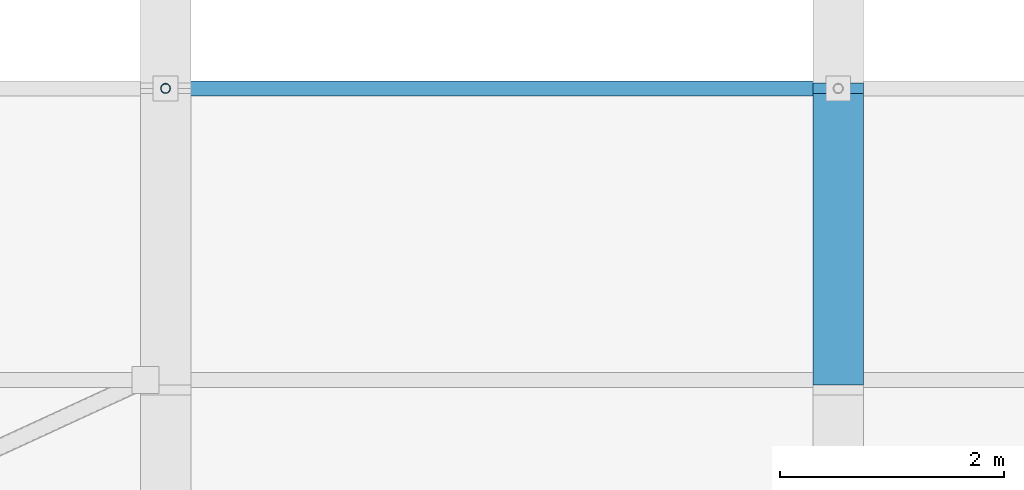
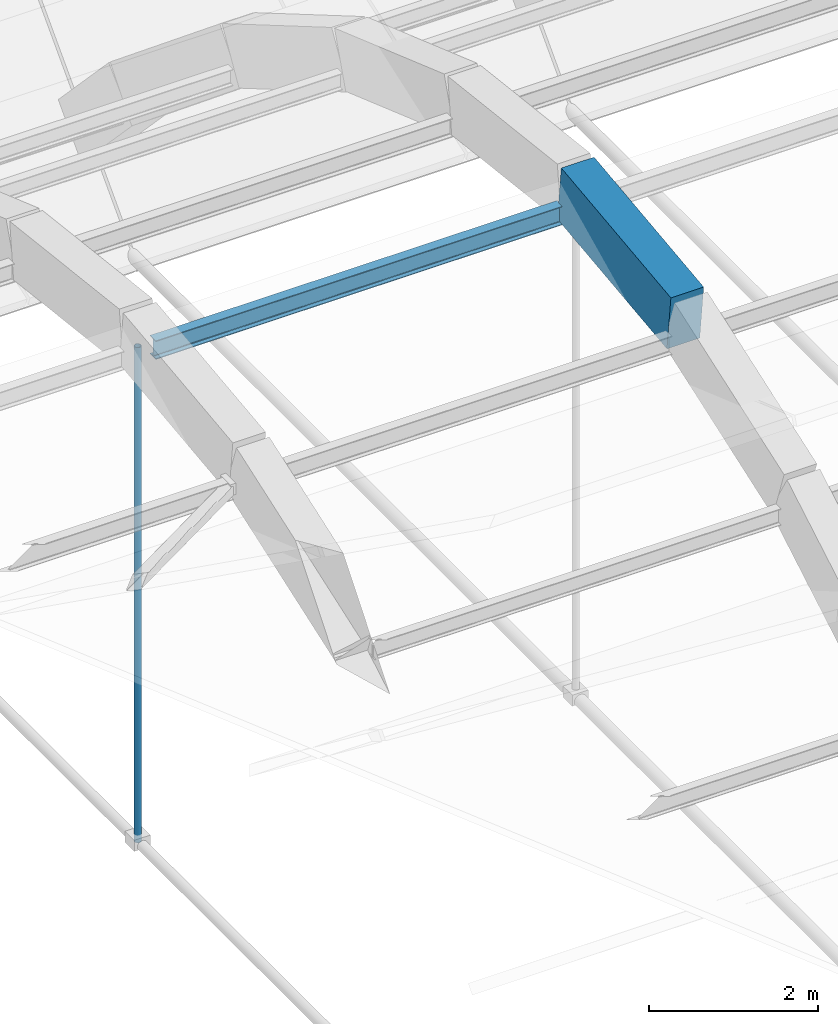
# One storey, part 24 of 123: 2 beams, 1 member.
"""IFC4 building model written with IfcOpenShell, lengths in metres."""

from ifc_helpers import new_model, si_unit, direction, frame, origin, origin_2d, place, context, subcontext, project, spatial, rectangle, hollow_circle, i_section, extrude, material, material_profile, profile_set, type_object, element, save


model = new_model("IFC4")

# Units and contexts
model_context = context("Model", 3, precision=1e-05, world=origin(), true_north=direction((0.0, 1.0)))
body_context = subcontext(model_context, "Body", "Model", "MODEL_VIEW")
ifc_project = project(units=[si_unit("LENGTHUNIT", "METRE"), si_unit("AREAUNIT", "SQUARE_METRE"), si_unit("VOLUMEUNIT", "CUBIC_METRE"), si_unit("PLANEANGLEUNIT", "RADIAN"), si_unit("MASSUNIT", "GRAM", prefix="KILO"), si_unit("POWERUNIT", "WATT"), si_unit("THERMODYNAMICTEMPERATUREUNIT", "KELVIN")], contexts=[model_context])

# Site, building, storey
site_placement = place(None, origin())
site = spatial("IfcSite", under=ifc_project, at=site_placement, CompositionType="ELEMENT")
building_placement = place(site_placement, origin())
building = spatial("IfcBuilding", under=site, at=building_placement, Name="Ruvembo Vaulted Housing Court", CompositionType="ELEMENT")
storey_placement = place(building_placement, frame((0.0, 0.0, 7.699951171875)))
storey = spatial("IfcBuildingStorey", under=building, at=storey_placement, Name="L02", CompositionType="ELEMENT", Elevation=7.699951171875)

# Beams
ifc_material_1 = material(Name="Concrete C35/45", Category="concrete")
ifc_material_profile_1 = material_profile(ifc_material_1, rectangle(XDim=0.449951171875, YDim=0.800048828125, at=origin_2d()), Name="RC 450x800")
ifc_profile_set_1 = profile_set([ifc_material_profile_1], Name="Concrete C35/45")
beam_type_1 = type_object("IfcBeamType", Name="AR-RC-450x800", PredefinedType="BEAM", material=ifc_profile_set_1)
beam_1_placement = place(storey_placement, frame((78.0, 52.39990234375, 5.796142578125), z_axis=(0.0, 0.993236276414, 0.116110719637), x_axis=(-1.0, 0.0, 0.0)))
element("IfcBeam", 1, at=beam_1_placement, inside=storey, type_object=beam_type_1, Name="Community Hall Parabolic Arch Rib AR-03 Seg 5", PredefinedType="BEAM", context=body_context, shape_type="SweptSolid", body=[
    extrude(rectangle(XDim=0.449951171875, YDim=0.800048828125, at=origin_2d()), origin(), (0.0, 0.0, 1.0), 2.617919921875),
])
ifc_material_2 = material(Name="Steel S355J2", Category="steel")
ifc_material_profile_2 = material_profile(ifc_material_2, i_section(OverallWidth=0.135009765625, OverallDepth=0.27001953125, WebThickness=0.006591796875, FlangeThickness=0.01025390625, FilletRadius=0.014892578125, at=origin_2d()), Name="IPE 270")
ifc_profile_set_2 = profile_set([ifc_material_profile_2], Name="Steel S355J2")
beam_type_2 = type_object("IfcBeamType", Name="BM-ST-IPE270", PredefinedType="BEAM", material=ifc_profile_set_2)
beam_2_placement = place(storey_placement, frame((72.2099609375, 55.0, 5.820068359375), z_axis=(1.0, 0.0, 0.0), x_axis=(0.0, 1.0, 0.0)))
element("IfcBeam", 2, at=beam_2_placement, inside=storey, type_object=beam_type_2, Name="Vault Bay 2 Steel Purlin K5", PredefinedType="BEAM", context=body_context, shape_type="SweptSolid", body=[
    extrude(i_section(OverallWidth=0.135009765625, OverallDepth=0.27001953125, WebThickness=0.006591796875, FlangeThickness=0.01025390625, FilletRadius=0.014892578125, at=origin_2d()), origin(), (0.0, 0.0, 1.0), 5.580078125),
])

# Member
ifc_material_profile_3 = material_profile(ifc_material_2, hollow_circle(Radius=0.04443359375, WallThickness=0.0048828125, at=origin_2d()), Name="CHS 88.9x5")
ifc_profile_set_3 = profile_set([ifc_material_profile_3], Name="Steel S355J2")
member_type = type_object("IfcMemberType", Name="MEM-HGR-CHS89", PredefinedType="STRUT", material=ifc_profile_set_3)
member_placement = place(storey_placement, frame((72.0, 55.0, -1.25), z_axis=(0.0, 0.0, 1.0), x_axis=(1.0, 0.0, 0.0)))
element("IfcMember", 3, at=member_placement, inside=storey, type_object=member_type, Name="Vault Crown Hanger Rod VH-02", PredefinedType="STRUT", context=body_context, shape_type="SweptSolid", body=[
    extrude(hollow_circle(Radius=0.04443359375, WallThickness=0.0048828125, at=origin_2d()), origin(), (0.0, 0.0, 1.0), 7.170166015625),
])

save(model, "model.ifc")
